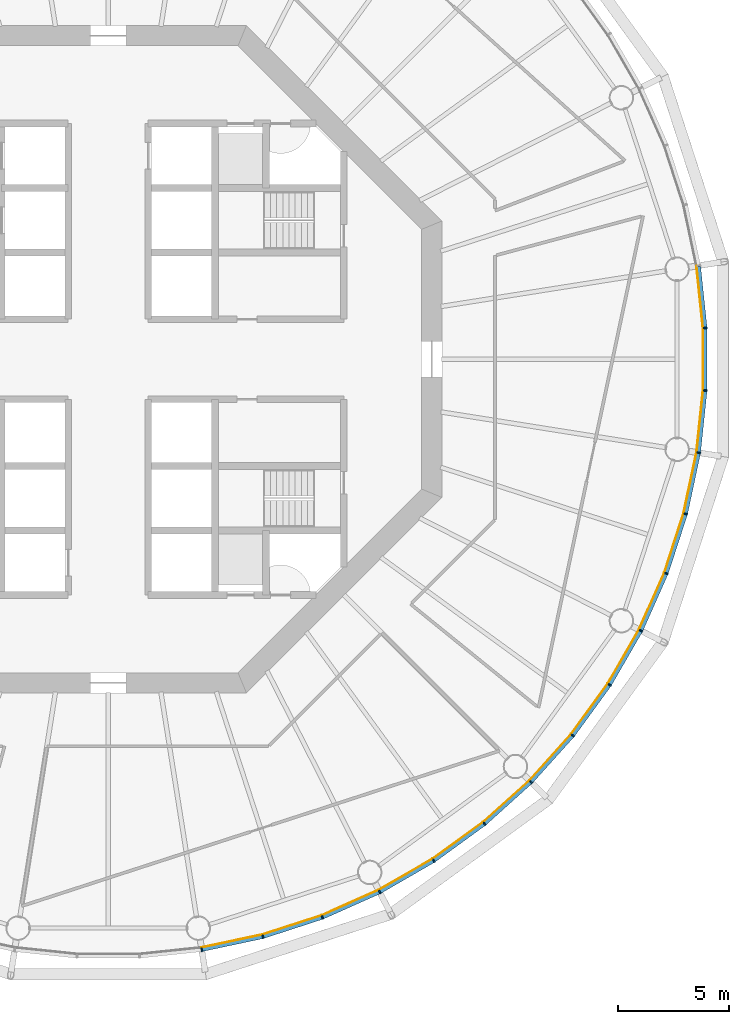
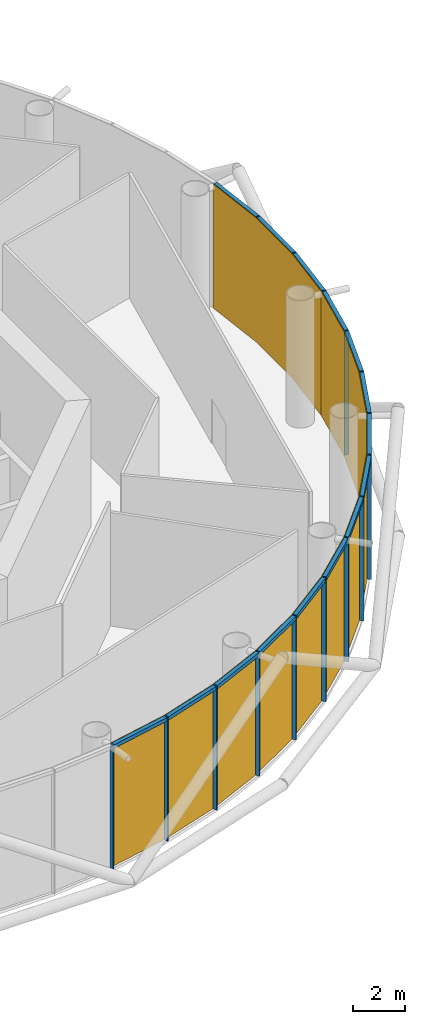
# One storey, part 9 of 14: 30 members, 5 curtain walls.
"""IFC4 building model written with IfcOpenShell, lengths in metres."""

from ifc_helpers import new_model, si_unit, direction, frame, origin, origin_2d, place, context, subcontext, project, spatial, polyline, rectangle, outline, extrude, material, layer, layer_set, material_profile, profile_set, type_object, element, aggregate, save


model = new_model("IFC4")

# Units and contexts
model_context = context("Model", 3, precision=1e-05, world=origin(), true_north=direction((0.0, 1.0)))
body_context = subcontext(model_context, "Body", "Model", "MODEL_VIEW")
ifc_project = project(units=[si_unit("LENGTHUNIT", "METRE"), si_unit("AREAUNIT", "SQUARE_METRE"), si_unit("VOLUMEUNIT", "CUBIC_METRE"), si_unit("PLANEANGLEUNIT", "RADIAN"), si_unit("MASSUNIT", "GRAM", prefix="KILO")], contexts=[model_context])

# Member
ifc_material_1 = material(Name="Anodised aluminium", Category="aluminium")
ifc_material_profile_1 = material_profile(ifc_material_1, rectangle(XDim=0.06005859375, YDim=0.169921875, at=origin_2d()), Name="Mullion 60 x 170 mm anodised aluminium")
ifc_profile_set_1 = profile_set([ifc_material_profile_1], Name="Anodised aluminium")
member_type_1 = type_object("IfcMemberType", Name="Mullion 60 x 170 mm anodised aluminium", PredefinedType="MULLION", material=ifc_profile_set_1)
site_placement = place(None, origin())
building_placement = place(site_placement, origin())
storey_placement = place(building_placement, frame((0.0, 0.0, 262.0)))
member_1_placement = place(storey_placement, frame((94.205810546875, 53.446044921875, 0.0), z_axis=(0.0, 0.0, 1.0), x_axis=(0.987688340595, 0.15643446504, 0.0)))
member_1 = element("IfcMember", 1, at=member_1_placement, type_object=member_type_1, Name="MULLION L60-45", PredefinedType="MULLION", context=body_context, shape_type="SweptSolid", body=[
    extrude(rectangle(XDim=0.06005859375, YDim=0.169921875, at=origin_2d()), origin(), (0.0, 0.0, 1.0), 5.85009765625),
])

member_2_placement = place(storey_placement, frame((96.958251953125, 54.031005859375, 0.0), z_axis=(0.0, 0.0, 1.0), x_axis=(0.965925826289, 0.258819045103, 0.0)))
member_2 = element("IfcMember", 2, at=member_2_placement, type_object=member_type_1, Name="MULLION L60-46", PredefinedType="MULLION", context=body_context, shape_type="SweptSolid", body=[
    extrude(rectangle(XDim=0.06005859375, YDim=0.169921875, at=origin_2d()), origin(), (0.0, 0.0, 1.0), 5.85009765625),
])

member_3_placement = place(storey_placement, frame((99.634765625, 54.900634765625, 0.0), z_axis=(0.0, 0.0, 1.0), x_axis=(0.933580426497, 0.358367949545, 0.0)))
member_3 = element("IfcMember", 3, at=member_3_placement, type_object=member_type_1, Name="MULLION L60-47", PredefinedType="MULLION", context=body_context, shape_type="SweptSolid", body=[
    extrude(rectangle(XDim=0.06005859375, YDim=0.169921875, at=origin_2d()), origin(), (0.0, 0.0, 1.0), 5.85009765625),
])

member_4_placement = place(storey_placement, frame((102.20556640625, 56.04541015625, 0.0), z_axis=(0.0, 0.0, 1.0), x_axis=(0.891006524188, 0.45399049974, 0.0)))
member_4 = element("IfcMember", 4, at=member_4_placement, type_object=member_type_1, Name="MULLION L60-48", PredefinedType="MULLION", context=body_context, shape_type="SweptSolid", body=[
    extrude(rectangle(XDim=0.06005859375, YDim=0.169921875, at=origin_2d()), origin(), (0.0, 0.0, 1.0), 5.85009765625),
])

member_5_placement = place(storey_placement, frame((104.642578125, 57.452392578125, 0.0), z_axis=(0.0, 0.0, 1.0), x_axis=(0.838670567945, 0.544639035015, 0.0)))
member_5 = element("IfcMember", 5, at=member_5_placement, type_object=member_type_1, Name="MULLION L60-49", PredefinedType="MULLION", context=body_context, shape_type="SweptSolid", body=[
    extrude(rectangle(XDim=0.06005859375, YDim=0.169921875, at=origin_2d()), origin(), (0.0, 0.0, 1.0), 5.85009765625),
])

member_6_placement = place(storey_placement, frame((106.919189453125, 59.1064453125, 0.0), z_axis=(0.0, 0.0, 1.0), x_axis=(0.777145961457, 0.62932039105, 0.0)))
member_6 = element("IfcMember", 6, at=member_6_placement, type_object=member_type_1, Name="MULLION L60-50", PredefinedType="MULLION", context=body_context, shape_type="SweptSolid", body=[
    extrude(rectangle(XDim=0.06005859375, YDim=0.169921875, at=origin_2d()), origin(), (0.0, 0.0, 1.0), 5.85009765625),
])

member_7_placement = place(storey_placement, frame((109.010498046875, 60.989501953125, 0.0), z_axis=(0.0, 0.0, 1.0), x_axis=(0.707106781187, 0.707106781187, 0.0)))
member_7 = element("IfcMember", 7, at=member_7_placement, type_object=member_type_1, Name="MULLION L60-51", PredefinedType="MULLION", context=body_context, shape_type="SweptSolid", body=[
    extrude(rectangle(XDim=0.06005859375, YDim=0.169921875, at=origin_2d()), origin(), (0.0, 0.0, 1.0), 5.85009765625),
])

member_8_placement = place(storey_placement, frame((110.8935546875, 63.080810546875, 0.0), z_axis=(0.0, 0.0, 1.0), x_axis=(0.62932039105, 0.777145961457, 0.0)))
member_8 = element("IfcMember", 8, at=member_8_placement, type_object=member_type_1, Name="MULLION L60-52", PredefinedType="MULLION", context=body_context, shape_type="SweptSolid", body=[
    extrude(rectangle(XDim=0.06005859375, YDim=0.169921875, at=origin_2d()), origin(), (0.0, 0.0, 1.0), 5.85009765625),
])

member_9_placement = place(storey_placement, frame((112.547607421875, 65.357421875, 0.0), z_axis=(0.0, 0.0, 1.0), x_axis=(0.544639035015, 0.838670567945, 0.0)))
member_9 = element("IfcMember", 9, at=member_9_placement, type_object=member_type_1, Name="MULLION L60-53", PredefinedType="MULLION", context=body_context, shape_type="SweptSolid", body=[
    extrude(rectangle(XDim=0.06005859375, YDim=0.169921875, at=origin_2d()), origin(), (0.0, 0.0, 1.0), 5.85009765625),
])

member_10_placement = place(storey_placement, frame((113.95458984375, 67.79443359375, 0.0), z_axis=(0.0, 0.0, 1.0), x_axis=(0.45399049974, 0.891006524188, 0.0)))
member_10 = element("IfcMember", 10, at=member_10_placement, type_object=member_type_1, Name="MULLION L60-54", PredefinedType="MULLION", context=body_context, shape_type="SweptSolid", body=[
    extrude(rectangle(XDim=0.06005859375, YDim=0.169921875, at=origin_2d()), origin(), (0.0, 0.0, 1.0), 5.85009765625),
])

member_11_placement = place(storey_placement, frame((115.099365234375, 70.365234375, 0.0), z_axis=(0.0, 0.0, 1.0), x_axis=(0.358367949545, 0.933580426497, 0.0)))
member_11 = element("IfcMember", 11, at=member_11_placement, type_object=member_type_1, Name="MULLION L60-55", PredefinedType="MULLION", context=body_context, shape_type="SweptSolid", body=[
    extrude(rectangle(XDim=0.06005859375, YDim=0.169921875, at=origin_2d()), origin(), (0.0, 0.0, 1.0), 5.85009765625),
])

member_12_placement = place(storey_placement, frame((115.968994140625, 73.041748046875, 0.0), z_axis=(0.0, 0.0, 1.0), x_axis=(0.258819045103, 0.965925826289, 0.0)))
member_12 = element("IfcMember", 12, at=member_12_placement, type_object=member_type_1, Name="MULLION L60-56", PredefinedType="MULLION", context=body_context, shape_type="SweptSolid", body=[
    extrude(rectangle(XDim=0.06005859375, YDim=0.169921875, at=origin_2d()), origin(), (0.0, 0.0, 1.0), 5.85009765625),
])

member_13_placement = place(storey_placement, frame((116.553955078125, 75.794189453125, 0.0), z_axis=(0.0, 0.0, 1.0), x_axis=(0.15643446504, 0.987688340595, 0.0)))
member_13 = element("IfcMember", 13, at=member_13_placement, type_object=member_type_1, Name="MULLION L60-57", PredefinedType="MULLION", context=body_context, shape_type="SweptSolid", body=[
    extrude(rectangle(XDim=0.06005859375, YDim=0.169921875, at=origin_2d()), origin(), (0.0, 0.0, 1.0), 5.85009765625),
])

member_14_placement = place(storey_placement, frame((116.84814453125, 78.593017578125, 0.0), z_axis=(0.0, 0.0, 1.0), x_axis=(0.052335956243, 0.998629534755, 0.0)))
member_14 = element("IfcMember", 14, at=member_14_placement, type_object=member_type_1, Name="MULLION L60-58", PredefinedType="MULLION", context=body_context, shape_type="SweptSolid", body=[
    extrude(rectangle(XDim=0.06005859375, YDim=0.169921875, at=origin_2d()), origin(), (0.0, 0.0, 1.0), 5.85009765625),
])

member_15_placement = place(storey_placement, frame((116.84814453125, 81.406982421875, 0.0), z_axis=(0.0, 0.0, 1.0), x_axis=(-0.052335956243, 0.998629534755, 0.0)))
member_15 = element("IfcMember", 15, at=member_15_placement, type_object=member_type_1, Name="MULLION L60-59", PredefinedType="MULLION", context=body_context, shape_type="SweptSolid", body=[
    extrude(rectangle(XDim=0.06005859375, YDim=0.169921875, at=origin_2d()), origin(), (0.0, 0.0, 1.0), 5.85009765625),
])

ifc_material_2 = material(Name="Anodised aluminium", Category="aluminium")
ifc_material_profile_2 = material_profile(ifc_material_2, rectangle(XDim=0.169921875, YDim=0.1650390625, at=origin_2d()), Name="Transom 165 x 170 mm anodised aluminium")
ifc_profile_set_2 = profile_set([ifc_material_profile_2], Name="Anodised aluminium")
member_type_2 = type_object("IfcMemberType", Name="Transom 165 x 170 mm anodised aluminium", PredefinedType="USERDEFINED", material=ifc_profile_set_2)
member_16_placement = place(storey_placement, frame((94.239501953125, 53.453125, 5.767578125), z_axis=(0.97814212115, 0.207937468562, 0.0), x_axis=(-0.207937468562, 0.97814212115, 0.0)))
member_16 = element("IfcMember", 16, at=member_16_placement, type_object=member_type_2, Name="TRANSOM L60-45", ObjectType="TRANSOM", PredefinedType="USERDEFINED", context=body_context, shape_type="SweptSolid", body=[
    extrude(rectangle(XDim=0.169921875, YDim=0.1650390625, at=origin_2d()), origin(), (0.0, 0.0, 1.0), 2.7451171875),
])

member_17_placement = place(storey_placement, frame((96.9912109375, 54.04150390625, 5.767578125), z_axis=(0.951048445774, 0.309041831781, 0.0), x_axis=(-0.309041831781, 0.951048445774, 0.0)))
member_17 = element("IfcMember", 17, at=member_17_placement, type_object=member_type_2, Name="TRANSOM L60-46", ObjectType="TRANSOM", PredefinedType="USERDEFINED", context=body_context, shape_type="SweptSolid", body=[
    extrude(rectangle(XDim=0.169921875, YDim=0.1650390625, at=origin_2d()), origin(), (0.0, 0.0, 1.0), 2.7451171875),
])

member_18_placement = place(storey_placement, frame((99.666259765625, 54.91455078125, 5.767578125), z_axis=(0.913525267704, 0.406781987391, 0.0), x_axis=(-0.406781987391, 0.913525267704, 0.0)))
member_18 = element("IfcMember", 18, at=member_18_placement, type_object=member_type_2, Name="TRANSOM L60-47", ObjectType="TRANSOM", PredefinedType="USERDEFINED", context=body_context, shape_type="SweptSolid", body=[
    extrude(rectangle(XDim=0.169921875, YDim=0.1650390625, at=origin_2d()), origin(), (0.0, 0.0, 1.0), 2.7451171875),
])

member_19_placement = place(storey_placement, frame((102.2353515625, 56.0625, 5.767578125), z_axis=(0.866034527326, 0.49998419723, 0.0), x_axis=(-0.49998419723, 0.866034527326, 0.0)))
member_19 = element("IfcMember", 19, at=member_19_placement, type_object=member_type_2, Name="TRANSOM L60-48", ObjectType="TRANSOM", PredefinedType="USERDEFINED", context=body_context, shape_type="SweptSolid", body=[
    extrude(rectangle(XDim=0.169921875, YDim=0.1650390625, at=origin_2d()), origin(), (0.0, 0.0, 1.0), 2.7451171875),
])

member_20_placement = place(storey_placement, frame((104.670654296875, 57.472412109375, 5.767578125), z_axis=(0.808959086484, 0.587864947412, 0.0), x_axis=(-0.587864947412, 0.808959086484, 0.0)))
member_20 = element("IfcMember", 20, at=member_20_placement, type_object=member_type_2, Name="TRANSOM L60-49", ObjectType="TRANSOM", PredefinedType="USERDEFINED", context=body_context, shape_type="SweptSolid", body=[
    extrude(rectangle(XDim=0.169921875, YDim=0.1650390625, at=origin_2d()), origin(), (0.0, 0.0, 1.0), 2.7451171875),
])

member_21_placement = place(storey_placement, frame((106.945068359375, 59.12939453125, 5.767578125), z_axis=(0.743134927907, 0.669141598561, 0.0), x_axis=(-0.669141598561, 0.743134927907, 0.0)))
member_21 = element("IfcMember", 21, at=member_21_placement, type_object=member_type_2, Name="TRANSOM L60-50", ObjectType="TRANSOM", PredefinedType="USERDEFINED", context=body_context, shape_type="SweptSolid", body=[
    extrude(rectangle(XDim=0.169921875, YDim=0.1650390625, at=origin_2d()), origin(), (0.0, 0.0, 1.0), 2.7451171875),
])

member_22_placement = place(storey_placement, frame((109.03369140625, 61.014892578125, 5.767578125), z_axis=(0.669141598561, 0.743134927907, 0.0), x_axis=(-0.743134927907, 0.669141598561, 0.0)))
member_22 = element("IfcMember", 22, at=member_22_placement, type_object=member_type_2, Name="TRANSOM L60-51", ObjectType="TRANSOM", PredefinedType="USERDEFINED", context=body_context, shape_type="SweptSolid", body=[
    extrude(rectangle(XDim=0.169921875, YDim=0.1650390625, at=origin_2d()), origin(), (0.0, 0.0, 1.0), 2.7451171875),
])

member_23_placement = place(storey_placement, frame((110.913818359375, 63.108642578125, 5.767578125), z_axis=(0.587864947412, 0.808959086484, 0.0), x_axis=(-0.808959086484, 0.587864947412, 0.0)))
member_23 = element("IfcMember", 23, at=member_23_placement, type_object=member_type_2, Name="TRANSOM L60-52", ObjectType="TRANSOM", PredefinedType="USERDEFINED", context=body_context, shape_type="SweptSolid", body=[
    extrude(rectangle(XDim=0.169921875, YDim=0.1650390625, at=origin_2d()), origin(), (0.0, 0.0, 1.0), 2.7451171875),
])

member_24_placement = place(storey_placement, frame((112.56494140625, 65.38720703125, 5.767578125), z_axis=(0.49998419723, 0.866034527326, 0.0), x_axis=(-0.866034527326, 0.49998419723, 0.0)))
member_24 = element("IfcMember", 24, at=member_24_placement, type_object=member_type_2, Name="TRANSOM L60-53", ObjectType="TRANSOM", PredefinedType="USERDEFINED", context=body_context, shape_type="SweptSolid", body=[
    extrude(rectangle(XDim=0.169921875, YDim=0.1650390625, at=origin_2d()), origin(), (0.0, 0.0, 1.0), 2.7451171875),
])

member_25_placement = place(storey_placement, frame((113.96875, 67.825927734375, 5.767578125), z_axis=(0.406781987391, 0.913525267704, 0.0), x_axis=(-0.913525267704, 0.406781987391, 0.0)))
member_25 = element("IfcMember", 25, at=member_25_placement, type_object=member_type_2, Name="TRANSOM L60-54", ObjectType="TRANSOM", PredefinedType="USERDEFINED", context=body_context, shape_type="SweptSolid", body=[
    extrude(rectangle(XDim=0.169921875, YDim=0.1650390625, at=origin_2d()), origin(), (0.0, 0.0, 1.0), 2.7451171875),
])

member_26_placement = place(storey_placement, frame((115.110107421875, 70.39794921875, 5.767578125), z_axis=(0.309041831781, 0.951048445774, 0.0), x_axis=(-0.951048445774, 0.309041831781, 0.0)))
member_26 = element("IfcMember", 26, at=member_26_placement, type_object=member_type_2, Name="TRANSOM L60-55", ObjectType="TRANSOM", PredefinedType="USERDEFINED", context=body_context, shape_type="SweptSolid", body=[
    extrude(rectangle(XDim=0.169921875, YDim=0.1650390625, at=origin_2d()), origin(), (0.0, 0.0, 1.0), 2.7451171875),
])

member_27_placement = place(storey_placement, frame((115.97607421875, 73.075439453125, 5.767578125), z_axis=(0.207937468562, 0.97814212115, 0.0), x_axis=(-0.97814212115, 0.207937468562, 0.0)))
member_27 = element("IfcMember", 27, at=member_27_placement, type_object=member_type_2, Name="TRANSOM L60-56", ObjectType="TRANSOM", PredefinedType="USERDEFINED", context=body_context, shape_type="SweptSolid", body=[
    extrude(rectangle(XDim=0.169921875, YDim=0.1650390625, at=origin_2d()), origin(), (0.0, 0.0, 1.0), 2.7451171875),
])

member_28_placement = place(storey_placement, frame((116.5576171875, 75.82861328125, 5.767578125), z_axis=(0.104592190102, 0.994515195344, 0.0), x_axis=(-0.994515195344, 0.104592190102, 0.0)))
member_28 = element("IfcMember", 28, at=member_28_placement, type_object=member_type_2, Name="TRANSOM L60-57", ObjectType="TRANSOM", PredefinedType="USERDEFINED", context=body_context, shape_type="SweptSolid", body=[
    extrude(rectangle(XDim=0.169921875, YDim=0.1650390625, at=origin_2d()), origin(), (0.0, 0.0, 1.0), 2.7451171875),
])

member_29_placement = place(storey_placement, frame((116.848388671875, 78.62744140625, 5.767578125), z_axis=(0.0, 1.0, 0.0), x_axis=(-1.0, 0.0, 0.0)))
member_29 = element("IfcMember", 29, at=member_29_placement, type_object=member_type_2, Name="TRANSOM L60-58", ObjectType="TRANSOM", PredefinedType="USERDEFINED", context=body_context, shape_type="SweptSolid", body=[
    extrude(rectangle(XDim=0.169921875, YDim=0.1650390625, at=origin_2d()), origin(), (0.0, 0.0, 1.0), 2.7451171875),
])

member_30_placement = place(storey_placement, frame((116.8447265625, 81.44140625, 5.767578125), z_axis=(-0.104592190102, 0.994515195344, 0.0), x_axis=(-0.994515195344, -0.104592190102, 0.0)))
member_30 = element("IfcMember", 30, at=member_30_placement, type_object=member_type_2, Name="TRANSOM L60-59", ObjectType="TRANSOM", PredefinedType="USERDEFINED", context=body_context, shape_type="SweptSolid", body=[
    extrude(rectangle(XDim=0.169921875, YDim=0.1650390625, at=origin_2d()), origin(), (0.0, 0.0, 1.0), 2.7451171875),
])

# Site, building, storey
site = spatial("IfcSite", under=ifc_project, at=site_placement, CompositionType="ELEMENT")
building = spatial("IfcBuilding", under=site, at=building_placement, Name="Entoto Ring Tower", CompositionType="ELEMENT")
storey = spatial("IfcBuildingStorey", under=building, at=storey_placement, Name="L60", CompositionType="ELEMENT", Elevation=262.0)

# Curtain wall
ifc_material_3 = material(Name="Clear low-iron glass", Category="glass")
ifc_layer = layer(ifc_material_3, 0.031982421875)
ifc_layer_set = layer_set([ifc_layer], Name="Clear low-iron glass")
curtain_wall_type = type_object("IfcCurtainWallType", Name="Curtain wall system CW4 glazing 32 mm", PredefinedType="NOTDEFINED", material=ifc_layer_set)
curtain_wall_1_placement = place(storey_placement, origin())
curtain_wall_1 = element("IfcCurtainWall", 31, at=curtain_wall_1_placement, inside=storey, type_object=curtain_wall_type, Name="CW4 L60-16", PredefinedType="NOTDEFINED", context=body_context, shape_type="SweptSolid", body=[
    extrude(outline(polyline([(94.1923828125, 53.530029296875), (96.936279296875, 54.11328125), (99.604248046875, 54.97998046875), (102.1669921875, 56.12109375), (102.15234375, 56.149658203125), (99.5927734375, 55.010009765625), (96.927978515625, 54.14404296875), (94.1875, 53.5615234375), (94.1923828125, 53.530029296875)])), origin(), (0.0, 0.0, 1.0), 5.85009765625),
])

aggregate(curtain_wall_1, [member_1, member_2, member_3, member_16, member_17, member_18])

curtain_wall_2_placement = place(storey_placement, origin())
curtain_wall_2 = element("IfcCurtainWall", 32, at=curtain_wall_2_placement, inside=storey, type_object=curtain_wall_type, Name="CW4 L60-17", PredefinedType="NOTDEFINED", context=body_context, shape_type="SweptSolid", body=[
    extrude(outline(polyline([(102.1669921875, 56.12109375), (104.596435546875, 57.523681640625), (106.86572265625, 59.172607421875), (108.950439453125, 61.049560546875), (108.927734375, 61.072265625), (106.845703125, 59.197509765625), (104.578857421875, 57.550537109375), (102.15234375, 56.149658203125), (102.1669921875, 56.12109375)])), origin(), (0.0, 0.0, 1.0), 5.85009765625),
])

aggregate(curtain_wall_2, [member_4, member_5, member_6, member_19, member_20, member_21])

curtain_wall_3_placement = place(storey_placement, origin())
curtain_wall_3 = element("IfcCurtainWall", 33, at=curtain_wall_3_placement, inside=storey, type_object=curtain_wall_type, Name="CW4 L60-18", PredefinedType="NOTDEFINED", context=body_context, shape_type="SweptSolid", body=[
    extrude(outline(polyline([(108.950439453125, 61.049560546875), (110.827392578125, 63.13427734375), (112.476318359375, 65.403564453125), (113.87890625, 67.8330078125), (113.850341796875, 67.84765625), (112.449462890625, 65.421142578125), (110.802490234375, 63.154296875), (108.927734375, 61.072265625), (108.950439453125, 61.049560546875)])), origin(), (0.0, 0.0, 1.0), 5.85009765625),
])

aggregate(curtain_wall_3, [member_7, member_8, member_9, member_22, member_23, member_24])

curtain_wall_4_placement = place(storey_placement, origin())
curtain_wall_4 = element("IfcCurtainWall", 34, at=curtain_wall_4_placement, inside=storey, type_object=curtain_wall_type, Name="CW4 L60-19", PredefinedType="NOTDEFINED", context=body_context, shape_type="SweptSolid", body=[
    extrude(outline(polyline([(113.87890625, 67.8330078125), (115.02001953125, 70.395751953125), (115.88671875, 73.063720703125), (116.469970703125, 75.8076171875), (116.4384765625, 75.8125), (115.85595703125, 73.072021484375), (114.989990234375, 70.4072265625), (113.850341796875, 67.84765625), (113.87890625, 67.8330078125)])), origin(), (0.0, 0.0, 1.0), 5.85009765625),
])

aggregate(curtain_wall_4, [member_10, member_11, member_12, member_25, member_26, member_27])

curtain_wall_5_placement = place(storey_placement, origin())
curtain_wall_5 = element("IfcCurtainWall", 35, at=curtain_wall_5_placement, inside=storey, type_object=curtain_wall_type, Name="CW4 L60-20", PredefinedType="NOTDEFINED", context=body_context, shape_type="SweptSolid", body=[
    extrude(outline(polyline([(116.469970703125, 75.8076171875), (116.76318359375, 78.597412109375), (116.76318359375, 81.402587890625), (116.469970703125, 84.1923828125), (116.4384765625, 84.1875), (116.731201171875, 81.40087890625), (116.731201171875, 78.59912109375), (116.4384765625, 75.8125), (116.469970703125, 75.8076171875)])), origin(), (0.0, 0.0, 1.0), 5.85009765625),
])

aggregate(curtain_wall_5, [member_13, member_14, member_15, member_28, member_29, member_30])

save(model, "model.ifc")
